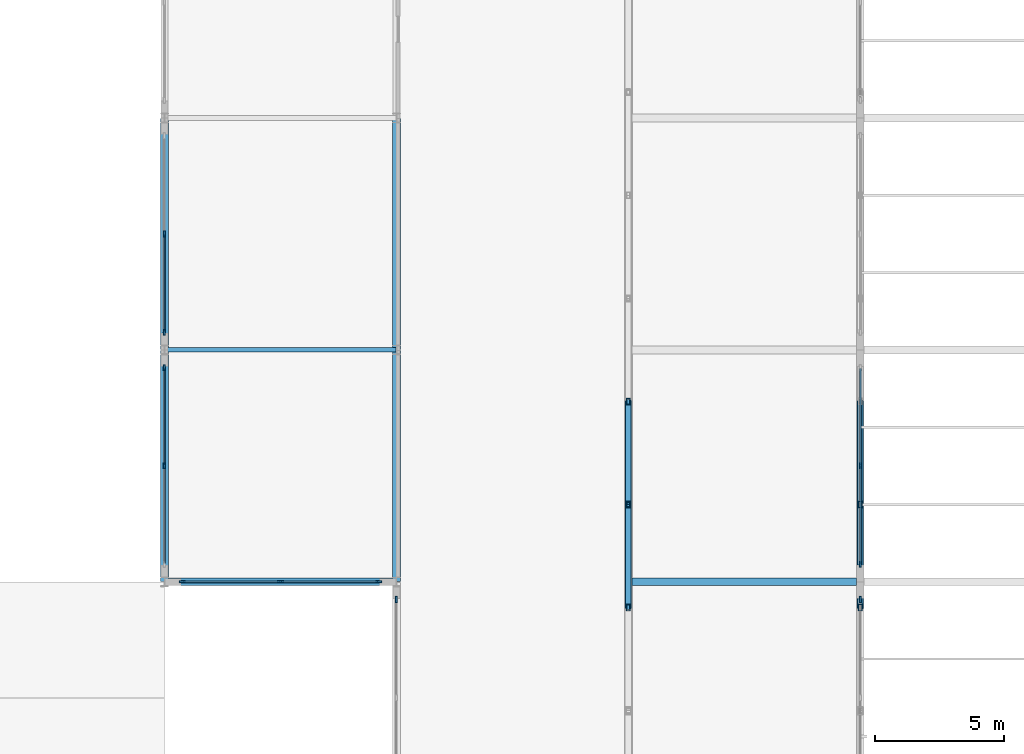
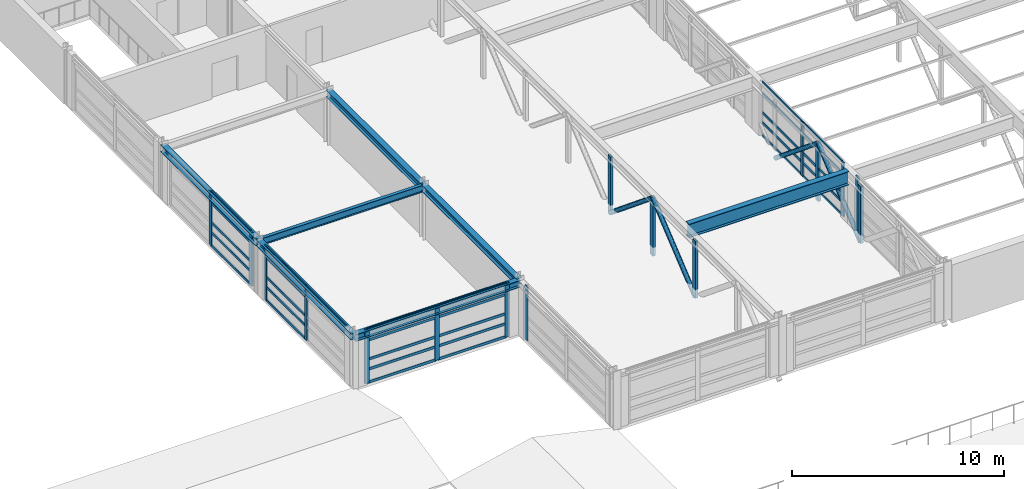
# One storey, part 43 of 91: 51 members, 7 beams, 6 elements without a shape of their own.
"""IFC4 building model written with IfcOpenShell, lengths in metres."""

from ifc_helpers import new_model, si_unit, direction, frame, origin, origin_2d, place, context, subcontext, project, spatial, rectangle, hollow_rectangle, hollow_circle, i_section, extrude, material, material_profile, profile_set, type_object, element, aggregate, save


model = new_model("IFC4")

# Units and contexts
model_context = context("Model", 3, precision=1e-05, world=origin(), true_north=direction((0.0, 1.0)))
body_context = subcontext(model_context, "Body", "Model", "MODEL_VIEW")
ifc_project = project(units=[si_unit("LENGTHUNIT", "METRE"), si_unit("AREAUNIT", "SQUARE_METRE"), si_unit("VOLUMEUNIT", "CUBIC_METRE"), si_unit("PLANEANGLEUNIT", "RADIAN"), si_unit("MASSUNIT", "GRAM", prefix="KILO")], contexts=[model_context])

# Site, building, storey
site_placement = place(None, origin())
site = spatial("IfcSite", under=ifc_project, at=site_placement, CompositionType="ELEMENT")
building_placement = place(site_placement, origin())
building = spatial("IfcBuilding", under=site, at=building_placement, Name="Palais des Congres Ocreval", CompositionType="ELEMENT")
storey_placement = place(building_placement, frame((0.0, 0.0, 8.159912109375)))
storey = spatial("IfcBuildingStorey", under=building, at=storey_placement, Name="L02", CompositionType="ELEMENT", Elevation=8.159912109375)

# Beam
ifc_material_1 = material(Name="Steel S355", Category="steel")
ifc_material_profile_1 = material_profile(ifc_material_1, i_section(OverallWidth=0.179931640625, OverallDepth=0.39990234375, WebThickness=0.008544921875, FlangeThickness=0.013427734375, at=origin_2d()), Name="IPE 400")
ifc_profile_set_1 = profile_set([ifc_material_profile_1], Name="Steel S355")
beam_type_1 = type_object("IfcBeamType", Name="Composite Beam IPE 400 Steel S355", PredefinedType="BEAM", material=ifc_profile_set_1)
beam_1_placement = place(storey_placement, frame((99.02001953125, 90.0, 2.900146484375), z_axis=(1.0, 0.0, 0.0), x_axis=(0.0, 1.0, 0.0)))
element("IfcBeam", 1, at=beam_1_placement, inside=storey, type_object=beam_type_1, Name="Beam B02 L02", PredefinedType="BEAM", context=body_context, shape_type="SweptSolid", body=[
    extrude(i_section(OverallWidth=0.179931640625, OverallDepth=0.39990234375, WebThickness=0.008544921875, FlangeThickness=0.013427734375, at=origin_2d()), origin(), (0.0, 0.0, 1.0), 8.9599609375),
])

# Curtain wall, member
ifc_material_2 = material(Name="Anodized bronze aluminium and low-E glass", Category="glass")
curtain_wall_type = type_object("IfcCurtainWallType", Name="Unitised Curtain Wall 7900x3120", PredefinedType="USERDEFINED", material=ifc_material_2)
curtain_wall_1_placement = place(storey_placement, origin())
curtain_wall_1 = element("IfcCurtainWall", 2, at=curtain_wall_1_placement, inside=storey, type_object=curtain_wall_type, Name="Unitised Curtain Wall CW03 L02", ObjectType="UNITISED CURTAIN WALL", PredefinedType="USERDEFINED")
ifc_material_3 = material(Name="Anodized bronze aluminium", Category="aluminium")
ifc_material_profile_2 = material_profile(ifc_material_3, rectangle(XDim=0.074951171875, YDim=0.239990234375, at=origin_2d()), Name="ALU 75x240")
ifc_profile_set_2 = profile_set([ifc_material_profile_2], Name="Anodized bronze aluminium")
member_type_1 = type_object("IfcMemberType", Name="Curtain Wall Mullion ALU 75x240", PredefinedType="MULLION", material=ifc_profile_set_2)
member_1_placement = place(storey_placement, frame((108.0, 80.3125, 0.0), z_axis=(0.0, 0.0, 1.0), x_axis=(-1.0, 0.0, 0.0)))
member_1 = element("IfcMember", 3, at=member_1_placement, type_object=member_type_1, Name="Curtain Wall Mullion ML01", PredefinedType="MULLION", context=body_context, shape_type="SweptSolid", body=[
    extrude(rectangle(XDim=0.074951171875, YDim=0.239990234375, at=origin_2d()), origin(), (0.0, 0.0, 1.0), 3.110107421875),
])
aggregate(curtain_wall_1, [member_1])

# Curtain wall, members
curtain_wall_2_placement = place(storey_placement, origin())
curtain_wall_2 = element("IfcCurtainWall", 4, at=curtain_wall_2_placement, inside=storey, type_object=curtain_wall_type, Name="Unitised Curtain Wall CW03 L02", ObjectType="UNITISED CURTAIN WALL", PredefinedType="USERDEFINED")
member_2_placement = place(storey_placement, frame((107.3125, 81.0, 0.0), z_axis=(0.0, 0.0, 1.0), x_axis=(0.0, -1.0, 0.0)))
member_2 = element("IfcMember", 5, at=member_2_placement, type_object=member_type_1, Name="Curtain Wall Mullion ML01", PredefinedType="MULLION", context=body_context, shape_type="SweptSolid", body=[
    extrude(rectangle(XDim=0.074951171875, YDim=0.239990234375, at=origin_2d()), origin(), (0.0, 0.0, 1.0), 3.110107421875),
])
member_3_placement = place(storey_placement, frame((103.5, 81.0, 0.0), z_axis=(0.0, 0.0, 1.0), x_axis=(0.0, -1.0, 0.0)))
member_3 = element("IfcMember", 6, at=member_3_placement, type_object=member_type_1, Name="Curtain Wall Mullion ML01", PredefinedType="MULLION", context=body_context, shape_type="SweptSolid", body=[
    extrude(rectangle(XDim=0.074951171875, YDim=0.239990234375, at=origin_2d()), origin(), (0.0, 0.0, 1.0), 3.110107421875),
])
member_4_placement = place(storey_placement, frame((99.6875, 81.0, 0.0), z_axis=(0.0, 0.0, 1.0), x_axis=(0.0, -1.0, 0.0)))
member_4 = element("IfcMember", 7, at=member_4_placement, type_object=member_type_1, Name="Curtain Wall Mullion ML01", PredefinedType="MULLION", context=body_context, shape_type="SweptSolid", body=[
    extrude(rectangle(XDim=0.074951171875, YDim=0.239990234375, at=origin_2d()), origin(), (0.0, 0.0, 1.0), 3.110107421875),
])

curtain_wall_3_placement = place(storey_placement, origin())
curtain_wall_3 = element("IfcCurtainWall", 8, at=curtain_wall_3_placement, inside=storey, type_object=curtain_wall_type, Name="Unitised Curtain Wall CW03 L02", ObjectType="UNITISED CURTAIN WALL", PredefinedType="USERDEFINED")
member_5_placement = place(storey_placement, frame((99.0, 85.5, 0.0), z_axis=(0.0, 0.0, 1.0), x_axis=(-1.0, 0.0, 0.0)))
member_5 = element("IfcMember", 9, at=member_5_placement, type_object=member_type_1, Name="Curtain Wall Mullion ML01", PredefinedType="MULLION", context=body_context, shape_type="SweptSolid", body=[
    extrude(rectangle(XDim=0.074951171875, YDim=0.239990234375, at=origin_2d()), origin(), (0.0, 0.0, 1.0), 3.110107421875),
])
member_6_placement = place(storey_placement, frame((99.0, 89.3125, 0.0), z_axis=(0.0, 0.0, 1.0), x_axis=(-1.0, 0.0, 0.0)))
member_6 = element("IfcMember", 10, at=member_6_placement, type_object=member_type_1, Name="Curtain Wall Mullion ML01", PredefinedType="MULLION", context=body_context, shape_type="SweptSolid", body=[
    extrude(rectangle(XDim=0.074951171875, YDim=0.239990234375, at=origin_2d()), origin(), (0.0, 0.0, 1.0), 3.110107421875),
])

curtain_wall_4_placement = place(storey_placement, origin())
curtain_wall_4 = element("IfcCurtainWall", 11, at=curtain_wall_4_placement, inside=storey, type_object=curtain_wall_type, Name="Unitised Curtain Wall CW03 L02", ObjectType="UNITISED CURTAIN WALL", PredefinedType="USERDEFINED")
member_7_placement = place(storey_placement, frame((99.0, 90.6875, 0.0), z_axis=(0.0, 0.0, 1.0), x_axis=(-1.0, 0.0, 0.0)))
member_7 = element("IfcMember", 12, at=member_7_placement, type_object=member_type_1, Name="Curtain Wall Mullion ML01", PredefinedType="MULLION", context=body_context, shape_type="SweptSolid", body=[
    extrude(rectangle(XDim=0.074951171875, YDim=0.239990234375, at=origin_2d()), origin(), (0.0, 0.0, 1.0), 3.110107421875),
])
member_8_placement = place(storey_placement, frame((99.0, 94.5, 0.0), z_axis=(0.0, 0.0, 1.0), x_axis=(-1.0, 0.0, 0.0)))
member_8 = element("IfcMember", 13, at=member_8_placement, type_object=member_type_1, Name="Curtain Wall Mullion ML01", PredefinedType="MULLION", context=body_context, shape_type="SweptSolid", body=[
    extrude(rectangle(XDim=0.074951171875, YDim=0.239990234375, at=origin_2d()), origin(), (0.0, 0.0, 1.0), 3.110107421875),
])

curtain_wall_5_placement = place(storey_placement, origin())
curtain_wall_5 = element("IfcCurtainWall", 14, at=curtain_wall_5_placement, inside=storey, type_object=curtain_wall_type, Name="Unitised Curtain Wall CW03 L02", ObjectType="UNITISED CURTAIN WALL", PredefinedType="USERDEFINED")
member_9_placement = place(storey_placement, frame((126.0, 85.5, 0.0), z_axis=(0.0, 0.0, 1.0), x_axis=(1.0, 0.0, 0.0)))
member_9 = element("IfcMember", 15, at=member_9_placement, type_object=member_type_1, Name="Curtain Wall Mullion ML01", PredefinedType="MULLION", context=body_context, shape_type="SweptSolid", body=[
    extrude(rectangle(XDim=0.074951171875, YDim=0.239990234375, at=origin_2d()), origin(), (0.0, 0.0, 1.0), 3.110107421875),
])
member_10_placement = place(storey_placement, frame((126.0, 81.6875, 0.0), z_axis=(0.0, 0.0, 1.0), x_axis=(1.0, 0.0, 0.0)))
member_10 = element("IfcMember", 16, at=member_10_placement, type_object=member_type_1, Name="Curtain Wall Mullion ML01", PredefinedType="MULLION", context=body_context, shape_type="SweptSolid", body=[
    extrude(rectangle(XDim=0.074951171875, YDim=0.239990234375, at=origin_2d()), origin(), (0.0, 0.0, 1.0), 3.110107421875),
])

# Curtain wall, member
curtain_wall_6_placement = place(storey_placement, origin())
curtain_wall_6 = element("IfcCurtainWall", 17, at=curtain_wall_6_placement, inside=storey, type_object=curtain_wall_type, Name="Unitised Curtain Wall CW03 L02", ObjectType="UNITISED CURTAIN WALL", PredefinedType="USERDEFINED")
member_11_placement = place(storey_placement, frame((126.0, 80.3125, 0.0), z_axis=(0.0, 0.0, 1.0), x_axis=(1.0, 0.0, 0.0)))
member_11 = element("IfcMember", 18, at=member_11_placement, type_object=member_type_1, Name="Curtain Wall Mullion ML01", PredefinedType="MULLION", context=body_context, shape_type="SweptSolid", body=[
    extrude(rectangle(XDim=0.074951171875, YDim=0.239990234375, at=origin_2d()), origin(), (0.0, 0.0, 1.0), 3.110107421875),
])
aggregate(curtain_wall_6, [member_11])

# Member
ifc_material_profile_3 = material_profile(ifc_material_3, rectangle(XDim=0.06005859375, YDim=0.14990234375, at=origin_2d()), Name="ALU 60x150")
ifc_profile_set_3 = profile_set([ifc_material_profile_3], Name="Anodized bronze aluminium")
member_type_2 = type_object("IfcMemberType", Name="Curtain Wall Transom ALU 60x150", PredefinedType="USERDEFINED", material=ifc_profile_set_3)
member_12_placement = place(storey_placement, frame((107.27490234375, 81.0, 0.030029296875), z_axis=(-1.0, 0.0, 0.0), x_axis=(0.0, -1.0, 0.0)))
member_12 = element("IfcMember", 19, at=member_12_placement, type_object=member_type_2, Name="Curtain Wall Transom TR01", ObjectType="TRANSOM", PredefinedType="USERDEFINED", context=body_context, shape_type="SweptSolid", body=[
    extrude(rectangle(XDim=0.06005859375, YDim=0.14990234375, at=origin_2d()), origin(), (0.0, 0.0, 1.0), 3.7373046875),
])

member_13_placement = place(storey_placement, frame((107.27490234375, 81.0, 0.780029296875), z_axis=(-1.0, 0.0, 0.0), x_axis=(0.0, -1.0, 0.0)))
member_13 = element("IfcMember", 20, at=member_13_placement, type_object=member_type_2, Name="Curtain Wall Transom TR01", ObjectType="TRANSOM", PredefinedType="USERDEFINED", context=body_context, shape_type="SweptSolid", body=[
    extrude(rectangle(XDim=0.06005859375, YDim=0.14990234375, at=origin_2d()), origin(), (0.0, 0.0, 1.0), 3.7373046875),
])

member_14_placement = place(storey_placement, frame((107.27490234375, 81.0, 1.35302734375), z_axis=(-1.0, 0.0, 0.0), x_axis=(0.0, -1.0, 0.0)))
member_14 = element("IfcMember", 21, at=member_14_placement, type_object=member_type_2, Name="Curtain Wall Transom TR01", ObjectType="TRANSOM", PredefinedType="USERDEFINED", context=body_context, shape_type="SweptSolid", body=[
    extrude(rectangle(XDim=0.06005859375, YDim=0.14990234375, at=origin_2d()), origin(), (0.0, 0.0, 1.0), 3.7373046875),
])

member_15_placement = place(storey_placement, frame((107.27490234375, 81.0, 2.460205078125), z_axis=(-1.0, 0.0, 0.0), x_axis=(0.0, -1.0, 0.0)))
member_15 = element("IfcMember", 22, at=member_15_placement, type_object=member_type_2, Name="Curtain Wall Transom TR01", ObjectType="TRANSOM", PredefinedType="USERDEFINED", context=body_context, shape_type="SweptSolid", body=[
    extrude(rectangle(XDim=0.06005859375, YDim=0.14990234375, at=origin_2d()), origin(), (0.0, 0.0, 1.0), 3.7373046875),
])

member_16_placement = place(storey_placement, frame((107.27490234375, 81.0, 3.080078125), z_axis=(-1.0, 0.0, 0.0), x_axis=(0.0, -1.0, 0.0)))
member_16 = element("IfcMember", 23, at=member_16_placement, type_object=member_type_2, Name="Curtain Wall Transom TR01", ObjectType="TRANSOM", PredefinedType="USERDEFINED", context=body_context, shape_type="SweptSolid", body=[
    extrude(rectangle(XDim=0.06005859375, YDim=0.14990234375, at=origin_2d()), origin(), (0.0, 0.0, 1.0), 3.7373046875),
])

member_17_placement = place(storey_placement, frame((103.46240234375, 81.0, 0.030029296875), z_axis=(-1.0, 0.0, 0.0), x_axis=(0.0, -1.0, 0.0)))
member_17 = element("IfcMember", 24, at=member_17_placement, type_object=member_type_2, Name="Curtain Wall Transom TR01", ObjectType="TRANSOM", PredefinedType="USERDEFINED", context=body_context, shape_type="SweptSolid", body=[
    extrude(rectangle(XDim=0.06005859375, YDim=0.14990234375, at=origin_2d()), origin(), (0.0, 0.0, 1.0), 3.7373046875),
])

member_18_placement = place(storey_placement, frame((103.46240234375, 81.0, 0.780029296875), z_axis=(-1.0, 0.0, 0.0), x_axis=(0.0, -1.0, 0.0)))
member_18 = element("IfcMember", 25, at=member_18_placement, type_object=member_type_2, Name="Curtain Wall Transom TR01", ObjectType="TRANSOM", PredefinedType="USERDEFINED", context=body_context, shape_type="SweptSolid", body=[
    extrude(rectangle(XDim=0.06005859375, YDim=0.14990234375, at=origin_2d()), origin(), (0.0, 0.0, 1.0), 3.7373046875),
])

member_19_placement = place(storey_placement, frame((103.46240234375, 81.0, 1.35302734375), z_axis=(-1.0, 0.0, 0.0), x_axis=(0.0, -1.0, 0.0)))
member_19 = element("IfcMember", 26, at=member_19_placement, type_object=member_type_2, Name="Curtain Wall Transom TR01", ObjectType="TRANSOM", PredefinedType="USERDEFINED", context=body_context, shape_type="SweptSolid", body=[
    extrude(rectangle(XDim=0.06005859375, YDim=0.14990234375, at=origin_2d()), origin(), (0.0, 0.0, 1.0), 3.7373046875),
])

member_20_placement = place(storey_placement, frame((103.46240234375, 81.0, 2.460205078125), z_axis=(-1.0, 0.0, 0.0), x_axis=(0.0, -1.0, 0.0)))
member_20 = element("IfcMember", 27, at=member_20_placement, type_object=member_type_2, Name="Curtain Wall Transom TR01", ObjectType="TRANSOM", PredefinedType="USERDEFINED", context=body_context, shape_type="SweptSolid", body=[
    extrude(rectangle(XDim=0.06005859375, YDim=0.14990234375, at=origin_2d()), origin(), (0.0, 0.0, 1.0), 3.7373046875),
])

member_21_placement = place(storey_placement, frame((103.46240234375, 81.0, 3.080078125), z_axis=(-1.0, 0.0, 0.0), x_axis=(0.0, -1.0, 0.0)))
member_21 = element("IfcMember", 28, at=member_21_placement, type_object=member_type_2, Name="Curtain Wall Transom TR01", ObjectType="TRANSOM", PredefinedType="USERDEFINED", context=body_context, shape_type="SweptSolid", body=[
    extrude(rectangle(XDim=0.06005859375, YDim=0.14990234375, at=origin_2d()), origin(), (0.0, 0.0, 1.0), 3.7373046875),
])

aggregate(curtain_wall_2, [member_2, member_3, member_4, member_12, member_13, member_14, member_15, member_16, member_17, member_18, member_19, member_20, member_21])

member_22_placement = place(storey_placement, frame((99.0, 81.72509765625, 3.080078125), z_axis=(0.0, 1.0, 0.0), x_axis=(-1.0, 0.0, 0.0)))
member_22 = element("IfcMember", 29, at=member_22_placement, type_object=member_type_2, Name="Curtain Wall Transom TR01", ObjectType="TRANSOM", PredefinedType="USERDEFINED", context=body_context, shape_type="SweptSolid", body=[
    extrude(rectangle(XDim=0.06005859375, YDim=0.14990234375, at=origin_2d()), origin(), (0.0, 0.0, 1.0), 3.7373046875),
])

member_23_placement = place(storey_placement, frame((99.0, 85.53759765625, 0.030029296875), z_axis=(0.0, 1.0, 0.0), x_axis=(-1.0, 0.0, 0.0)))
member_23 = element("IfcMember", 30, at=member_23_placement, type_object=member_type_2, Name="Curtain Wall Transom TR01", ObjectType="TRANSOM", PredefinedType="USERDEFINED", context=body_context, shape_type="SweptSolid", body=[
    extrude(rectangle(XDim=0.06005859375, YDim=0.14990234375, at=origin_2d()), origin(), (0.0, 0.0, 1.0), 3.7373046875),
])

member_24_placement = place(storey_placement, frame((99.0, 85.53759765625, 0.780029296875), z_axis=(0.0, 1.0, 0.0), x_axis=(-1.0, 0.0, 0.0)))
member_24 = element("IfcMember", 31, at=member_24_placement, type_object=member_type_2, Name="Curtain Wall Transom TR01", ObjectType="TRANSOM", PredefinedType="USERDEFINED", context=body_context, shape_type="SweptSolid", body=[
    extrude(rectangle(XDim=0.06005859375, YDim=0.14990234375, at=origin_2d()), origin(), (0.0, 0.0, 1.0), 3.7373046875),
])

member_25_placement = place(storey_placement, frame((99.0, 85.53759765625, 1.35302734375), z_axis=(0.0, 1.0, 0.0), x_axis=(-1.0, 0.0, 0.0)))
member_25 = element("IfcMember", 32, at=member_25_placement, type_object=member_type_2, Name="Curtain Wall Transom TR01", ObjectType="TRANSOM", PredefinedType="USERDEFINED", context=body_context, shape_type="SweptSolid", body=[
    extrude(rectangle(XDim=0.06005859375, YDim=0.14990234375, at=origin_2d()), origin(), (0.0, 0.0, 1.0), 3.7373046875),
])

member_26_placement = place(storey_placement, frame((99.0, 85.53759765625, 2.460205078125), z_axis=(0.0, 1.0, 0.0), x_axis=(-1.0, 0.0, 0.0)))
member_26 = element("IfcMember", 33, at=member_26_placement, type_object=member_type_2, Name="Curtain Wall Transom TR01", ObjectType="TRANSOM", PredefinedType="USERDEFINED", context=body_context, shape_type="SweptSolid", body=[
    extrude(rectangle(XDim=0.06005859375, YDim=0.14990234375, at=origin_2d()), origin(), (0.0, 0.0, 1.0), 3.7373046875),
])

member_27_placement = place(storey_placement, frame((99.0, 85.53759765625, 3.080078125), z_axis=(0.0, 1.0, 0.0), x_axis=(-1.0, 0.0, 0.0)))
member_27 = element("IfcMember", 34, at=member_27_placement, type_object=member_type_2, Name="Curtain Wall Transom TR01", ObjectType="TRANSOM", PredefinedType="USERDEFINED", context=body_context, shape_type="SweptSolid", body=[
    extrude(rectangle(XDim=0.06005859375, YDim=0.14990234375, at=origin_2d()), origin(), (0.0, 0.0, 1.0), 3.7373046875),
])

aggregate(curtain_wall_3, [member_5, member_6, member_22, member_23, member_24, member_25, member_26, member_27])

member_28_placement = place(storey_placement, frame((99.0, 90.72509765625, 0.030029296875), z_axis=(0.0, 1.0, 0.0), x_axis=(-1.0, 0.0, 0.0)))
member_28 = element("IfcMember", 35, at=member_28_placement, type_object=member_type_2, Name="Curtain Wall Transom TR01", ObjectType="TRANSOM", PredefinedType="USERDEFINED", context=body_context, shape_type="SweptSolid", body=[
    extrude(rectangle(XDim=0.06005859375, YDim=0.14990234375, at=origin_2d()), origin(), (0.0, 0.0, 1.0), 3.7373046875),
])

member_29_placement = place(storey_placement, frame((99.0, 90.72509765625, 0.780029296875), z_axis=(0.0, 1.0, 0.0), x_axis=(-1.0, 0.0, 0.0)))
member_29 = element("IfcMember", 36, at=member_29_placement, type_object=member_type_2, Name="Curtain Wall Transom TR01", ObjectType="TRANSOM", PredefinedType="USERDEFINED", context=body_context, shape_type="SweptSolid", body=[
    extrude(rectangle(XDim=0.06005859375, YDim=0.14990234375, at=origin_2d()), origin(), (0.0, 0.0, 1.0), 3.7373046875),
])

member_30_placement = place(storey_placement, frame((99.0, 90.72509765625, 1.35302734375), z_axis=(0.0, 1.0, 0.0), x_axis=(-1.0, 0.0, 0.0)))
member_30 = element("IfcMember", 37, at=member_30_placement, type_object=member_type_2, Name="Curtain Wall Transom TR01", ObjectType="TRANSOM", PredefinedType="USERDEFINED", context=body_context, shape_type="SweptSolid", body=[
    extrude(rectangle(XDim=0.06005859375, YDim=0.14990234375, at=origin_2d()), origin(), (0.0, 0.0, 1.0), 3.7373046875),
])

member_31_placement = place(storey_placement, frame((99.0, 90.72509765625, 2.460205078125), z_axis=(0.0, 1.0, 0.0), x_axis=(-1.0, 0.0, 0.0)))
member_31 = element("IfcMember", 38, at=member_31_placement, type_object=member_type_2, Name="Curtain Wall Transom TR01", ObjectType="TRANSOM", PredefinedType="USERDEFINED", context=body_context, shape_type="SweptSolid", body=[
    extrude(rectangle(XDim=0.06005859375, YDim=0.14990234375, at=origin_2d()), origin(), (0.0, 0.0, 1.0), 3.7373046875),
])

member_32_placement = place(storey_placement, frame((99.0, 90.72509765625, 3.080078125), z_axis=(0.0, 1.0, 0.0), x_axis=(-1.0, 0.0, 0.0)))
member_32 = element("IfcMember", 39, at=member_32_placement, type_object=member_type_2, Name="Curtain Wall Transom TR01", ObjectType="TRANSOM", PredefinedType="USERDEFINED", context=body_context, shape_type="SweptSolid", body=[
    extrude(rectangle(XDim=0.06005859375, YDim=0.14990234375, at=origin_2d()), origin(), (0.0, 0.0, 1.0), 3.7373046875),
])

aggregate(curtain_wall_4, [member_7, member_8, member_28, member_29, member_30, member_31, member_32])

member_33_placement = place(storey_placement, frame((126.0, 89.27490234375, 0.030029296875), z_axis=(0.0, -1.0, 0.0), x_axis=(1.0, 0.0, 0.0)))
member_33 = element("IfcMember", 40, at=member_33_placement, type_object=member_type_2, Name="Curtain Wall Transom TR01", ObjectType="TRANSOM", PredefinedType="USERDEFINED", context=body_context, shape_type="SweptSolid", body=[
    extrude(rectangle(XDim=0.06005859375, YDim=0.14990234375, at=origin_2d()), origin(), (0.0, 0.0, 1.0), 3.7373046875),
])

member_34_placement = place(storey_placement, frame((126.0, 89.27490234375, 0.780029296875), z_axis=(0.0, -1.0, 0.0), x_axis=(1.0, 0.0, 0.0)))
member_34 = element("IfcMember", 41, at=member_34_placement, type_object=member_type_2, Name="Curtain Wall Transom TR01", ObjectType="TRANSOM", PredefinedType="USERDEFINED", context=body_context, shape_type="SweptSolid", body=[
    extrude(rectangle(XDim=0.06005859375, YDim=0.14990234375, at=origin_2d()), origin(), (0.0, 0.0, 1.0), 3.7373046875),
])

member_35_placement = place(storey_placement, frame((126.0, 89.27490234375, 1.35302734375), z_axis=(0.0, -1.0, 0.0), x_axis=(1.0, 0.0, 0.0)))
member_35 = element("IfcMember", 42, at=member_35_placement, type_object=member_type_2, Name="Curtain Wall Transom TR01", ObjectType="TRANSOM", PredefinedType="USERDEFINED", context=body_context, shape_type="SweptSolid", body=[
    extrude(rectangle(XDim=0.06005859375, YDim=0.14990234375, at=origin_2d()), origin(), (0.0, 0.0, 1.0), 3.7373046875),
])

member_36_placement = place(storey_placement, frame((126.0, 89.27490234375, 2.460205078125), z_axis=(0.0, -1.0, 0.0), x_axis=(1.0, 0.0, 0.0)))
member_36 = element("IfcMember", 43, at=member_36_placement, type_object=member_type_2, Name="Curtain Wall Transom TR01", ObjectType="TRANSOM", PredefinedType="USERDEFINED", context=body_context, shape_type="SweptSolid", body=[
    extrude(rectangle(XDim=0.06005859375, YDim=0.14990234375, at=origin_2d()), origin(), (0.0, 0.0, 1.0), 3.7373046875),
])

member_37_placement = place(storey_placement, frame((126.0, 89.27490234375, 3.080078125), z_axis=(0.0, -1.0, 0.0), x_axis=(1.0, 0.0, 0.0)))
member_37 = element("IfcMember", 44, at=member_37_placement, type_object=member_type_2, Name="Curtain Wall Transom TR01", ObjectType="TRANSOM", PredefinedType="USERDEFINED", context=body_context, shape_type="SweptSolid", body=[
    extrude(rectangle(XDim=0.06005859375, YDim=0.14990234375, at=origin_2d()), origin(), (0.0, 0.0, 1.0), 3.7373046875),
])

member_38_placement = place(storey_placement, frame((126.0, 85.46240234375, 0.030029296875), z_axis=(0.0, -1.0, 0.0), x_axis=(1.0, 0.0, 0.0)))
member_38 = element("IfcMember", 45, at=member_38_placement, type_object=member_type_2, Name="Curtain Wall Transom TR01", ObjectType="TRANSOM", PredefinedType="USERDEFINED", context=body_context, shape_type="SweptSolid", body=[
    extrude(rectangle(XDim=0.06005859375, YDim=0.14990234375, at=origin_2d()), origin(), (0.0, 0.0, 1.0), 3.7373046875),
])

member_39_placement = place(storey_placement, frame((126.0, 85.46240234375, 0.780029296875), z_axis=(0.0, -1.0, 0.0), x_axis=(1.0, 0.0, 0.0)))
member_39 = element("IfcMember", 46, at=member_39_placement, type_object=member_type_2, Name="Curtain Wall Transom TR01", ObjectType="TRANSOM", PredefinedType="USERDEFINED", context=body_context, shape_type="SweptSolid", body=[
    extrude(rectangle(XDim=0.06005859375, YDim=0.14990234375, at=origin_2d()), origin(), (0.0, 0.0, 1.0), 3.7373046875),
])

member_40_placement = place(storey_placement, frame((126.0, 85.46240234375, 1.35302734375), z_axis=(0.0, -1.0, 0.0), x_axis=(1.0, 0.0, 0.0)))
member_40 = element("IfcMember", 47, at=member_40_placement, type_object=member_type_2, Name="Curtain Wall Transom TR01", ObjectType="TRANSOM", PredefinedType="USERDEFINED", context=body_context, shape_type="SweptSolid", body=[
    extrude(rectangle(XDim=0.06005859375, YDim=0.14990234375, at=origin_2d()), origin(), (0.0, 0.0, 1.0), 3.7373046875),
])

member_41_placement = place(storey_placement, frame((126.0, 85.46240234375, 2.460205078125), z_axis=(0.0, -1.0, 0.0), x_axis=(1.0, 0.0, 0.0)))
member_41 = element("IfcMember", 48, at=member_41_placement, type_object=member_type_2, Name="Curtain Wall Transom TR01", ObjectType="TRANSOM", PredefinedType="USERDEFINED", context=body_context, shape_type="SweptSolid", body=[
    extrude(rectangle(XDim=0.06005859375, YDim=0.14990234375, at=origin_2d()), origin(), (0.0, 0.0, 1.0), 3.7373046875),
])

member_42_placement = place(storey_placement, frame((126.0, 85.46240234375, 3.080078125), z_axis=(0.0, -1.0, 0.0), x_axis=(1.0, 0.0, 0.0)))
member_42 = element("IfcMember", 49, at=member_42_placement, type_object=member_type_2, Name="Curtain Wall Transom TR01", ObjectType="TRANSOM", PredefinedType="USERDEFINED", context=body_context, shape_type="SweptSolid", body=[
    extrude(rectangle(XDim=0.06005859375, YDim=0.14990234375, at=origin_2d()), origin(), (0.0, 0.0, 1.0), 3.7373046875),
])

aggregate(curtain_wall_5, [member_9, member_10, member_33, member_34, member_35, member_36, member_37, member_38, member_39, member_40, member_41, member_42])

# Members
ifc_material_profile_4 = material_profile(ifc_material_1, hollow_circle(Radius=0.122314453125, WallThickness=0.012451171875, at=origin_2d()), Name="CHS 244.5x12.5")
ifc_profile_set_4 = profile_set([ifc_material_profile_4], Name="Steel S355")
member_type_3 = type_object("IfcMemberType", Name="Diagonal Brace CHS 244.5x12.5 Steel S355", PredefinedType="BRACE", material=ifc_profile_set_4)
for number, where, z_axis, x_axis, name in (
    (50, (117.0, 80.0, -0.5), (0.0, 0.772316531173, 0.635237889044), (-1.0, 0.0, 0.0), "Transfer Truss Web Diagonal V2-117-3"),
    (51, (117.0, 84.0, 2.7900390625), (0.0, 0.772316531173, -0.635237889044), (-1.0, 0.0, 0.0), "Transfer Truss Web Diagonal V2-117-4"),
    (52, (126.0, 80.0, -0.5), (0.0, 0.772316531173, 0.635237889044), (-1.0, 0.0, 0.0), "Transfer Truss Web Diagonal V2-126-3"),
    (53, (126.0, 84.0, 2.7900390625), (0.0, 0.772316531173, -0.635237889044), (-1.0, 0.0, 0.0), "Transfer Truss Web Diagonal V2-126-4"),
):
    element("IfcMember", number, at=place(storey_placement, frame(where, z_axis=z_axis, x_axis=x_axis)), inside=storey, type_object=member_type_3, Name=name, PredefinedType="BRACE", context=body_context, shape_type="SweptSolid", body=[
        extrude(hollow_circle(Radius=0.122314453125, WallThickness=0.012451171875, at=origin_2d()), origin(), (0.0, 0.0, 1.0), 5.17919921875),
    ])

# Beams
ifc_material_profile_5 = material_profile(ifc_material_1, i_section(OverallWidth=0.300048828125, OverallDepth=0.7900390625, WebThickness=0.014892578125, FlangeThickness=0.028076171875, at=origin_2d()), Name="HEA 800")
ifc_profile_set_5 = profile_set([ifc_material_profile_5], Name="Steel S355")
beam_type_2 = type_object("IfcBeamType", Name="Long-Span Girder HEA 800 Steel S355", PredefinedType="BEAM", material=ifc_profile_set_5)
beam_2_placement = place(storey_placement, frame((117.14794921875, 81.0, 2.710205078125), z_axis=(1.0, 0.0, 0.0), x_axis=(0.0, 1.0, 0.0)))
element("IfcBeam", 54, at=beam_2_placement, inside=storey, type_object=beam_type_2, Name="Ballroom Truss Tie Girder B15", PredefinedType="BEAM", context=body_context, shape_type="SweptSolid", body=[
    extrude(i_section(OverallWidth=0.300048828125, OverallDepth=0.7900390625, WebThickness=0.014892578125, FlangeThickness=0.028076171875, at=origin_2d()), origin(), (0.0, 0.0, 1.0), 8.7041015625),
])
ifc_material_profile_6 = material_profile(ifc_material_1, i_section(OverallWidth=0.300048828125, OverallDepth=0.360107421875, WebThickness=0.012451171875, FlangeThickness=0.0224609375, at=origin_2d()), Name="HEB 360")
ifc_profile_set_6 = profile_set([ifc_material_profile_6], Name="Steel S355")
beam_type_3 = type_object("IfcBeamType", Name="Perimeter Spandrel HEB 360 Steel S355", PredefinedType="SPANDREL", material=ifc_profile_set_6)
for number, where, z_axis, x_axis, name in (
    (55, (99.0, 81.02001953125, 2.920166015625), (0.0, 1.0, 0.0), (-1.0, 0.0, 0.0), "Girder SP03 L02"),
    (56, (108.0, 81.02001953125, 2.920166015625), (0.0, 1.0, 0.0), (-1.0, 0.0, 0.0), "Girder SP03 L02"),
):
    element("IfcBeam", number, at=place(storey_placement, frame(where, z_axis=z_axis, x_axis=x_axis)), inside=storey, type_object=beam_type_3, Name=name, PredefinedType="SPANDREL", context=body_context, shape_type="SweptSolid", body=[
        extrude(i_section(OverallWidth=0.300048828125, OverallDepth=0.360107421875, WebThickness=0.012451171875, FlangeThickness=0.0224609375, at=origin_2d()), origin(), (0.0, 0.0, 1.0), 8.9599609375),
    ])
ifc_material_profile_7 = material_profile(ifc_material_1, i_section(OverallWidth=0.300048828125, OverallDepth=0.39990234375, WebThickness=0.013427734375, FlangeThickness=0.02392578125, at=origin_2d()), Name="HEB 400")
ifc_profile_set_7 = profile_set([ifc_material_profile_7], Name="Steel S355")
beam_type_4 = type_object("IfcBeamType", Name="Perimeter Spandrel HEB 400 Steel S355", PredefinedType="SPANDREL", material=ifc_profile_set_7)
for number, where, z_axis, x_axis, name in (
    (57, (99.02001953125, 81.0, 2.900146484375), (1.0, 0.0, 0.0), (0.0, 1.0, 0.0), "Beam SP04 L02"),
    (58, (99.0, 90.02001953125, 2.900146484375), (0.0, 1.0, 0.0), (-1.0, 0.0, 0.0), "Girder SP04 L02"),
    (59, (108.0, 90.02001953125, 2.900146484375), (0.0, 1.0, 0.0), (-1.0, 0.0, 0.0), "Girder SP04 L02"),
):
    element("IfcBeam", number, at=place(storey_placement, frame(where, z_axis=z_axis, x_axis=x_axis)), inside=storey, type_object=beam_type_4, Name=name, PredefinedType="SPANDREL", context=body_context, shape_type="SweptSolid", body=[
        extrude(i_section(OverallWidth=0.300048828125, OverallDepth=0.39990234375, WebThickness=0.013427734375, FlangeThickness=0.02392578125, at=origin_2d()), origin(), (0.0, 0.0, 1.0), 8.9599609375),
    ])

# Members
ifc_material_profile_8 = material_profile(ifc_material_1, hollow_rectangle(XDim=0.14990234375, YDim=0.25, WallThickness=0.012451171875, at=origin_2d()), Name="RHS 250x150x12.5")
ifc_profile_set_8 = profile_set([ifc_material_profile_8], Name="Steel S355")
member_type_4 = type_object("IfcMemberType", Name="Truss Strut RHS 250x150x12.5 Steel S355", PredefinedType="STRUT", material=ifc_profile_set_8)
for number, where, z_axis, x_axis, name in (
    (60, (117.0, 80.0, -0.5), (0.0, 0.0, 1.0), (1.0, 0.0, 0.0), "Transfer Truss Vertical Post V2-117-2"),
    (61, (117.0, 84.0, -0.5), (0.0, 0.0, 1.0), (1.0, 0.0, 0.0), "Transfer Truss Vertical Post V2-117-3"),
    (62, (117.0, 88.0, -0.5), (0.0, 0.0, 1.0), (1.0, 0.0, 0.0), "Transfer Truss Vertical Post V2-117-4"),
    (63, (126.0, 80.0, -0.5), (0.0, 0.0, 1.0), (1.0, 0.0, 0.0), "Transfer Truss Vertical Post V2-126-2"),
    (64, (126.0, 84.0, -0.5), (0.0, 0.0, 1.0), (1.0, 0.0, 0.0), "Transfer Truss Vertical Post V2-126-3"),
):
    element("IfcMember", number, at=place(storey_placement, frame(where, z_axis=z_axis, x_axis=x_axis)), inside=storey, type_object=member_type_4, Name=name, PredefinedType="STRUT", context=body_context, shape_type="SweptSolid", body=[
        extrude(hollow_rectangle(XDim=0.14990234375, YDim=0.25, WallThickness=0.012451171875, at=origin_2d()), origin(), (0.0, 0.0, 1.0), 3.2900390625),
    ])

save(model, "model.ifc")
